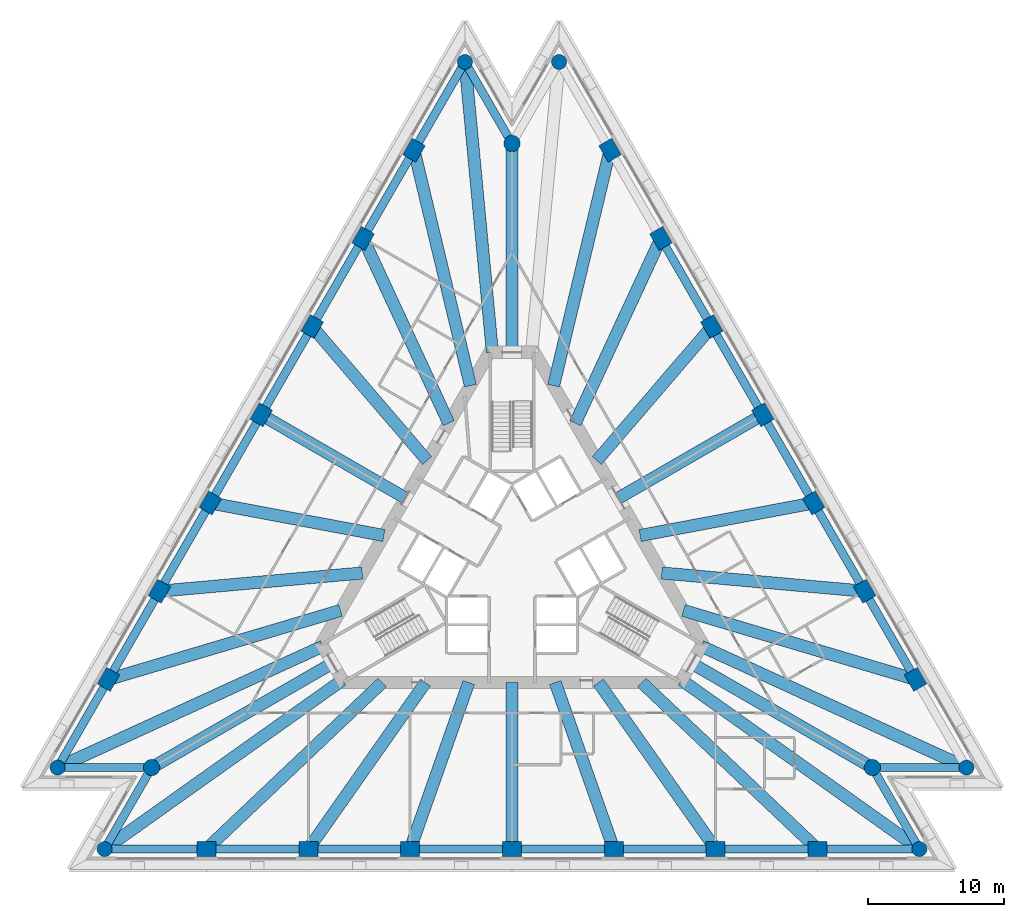
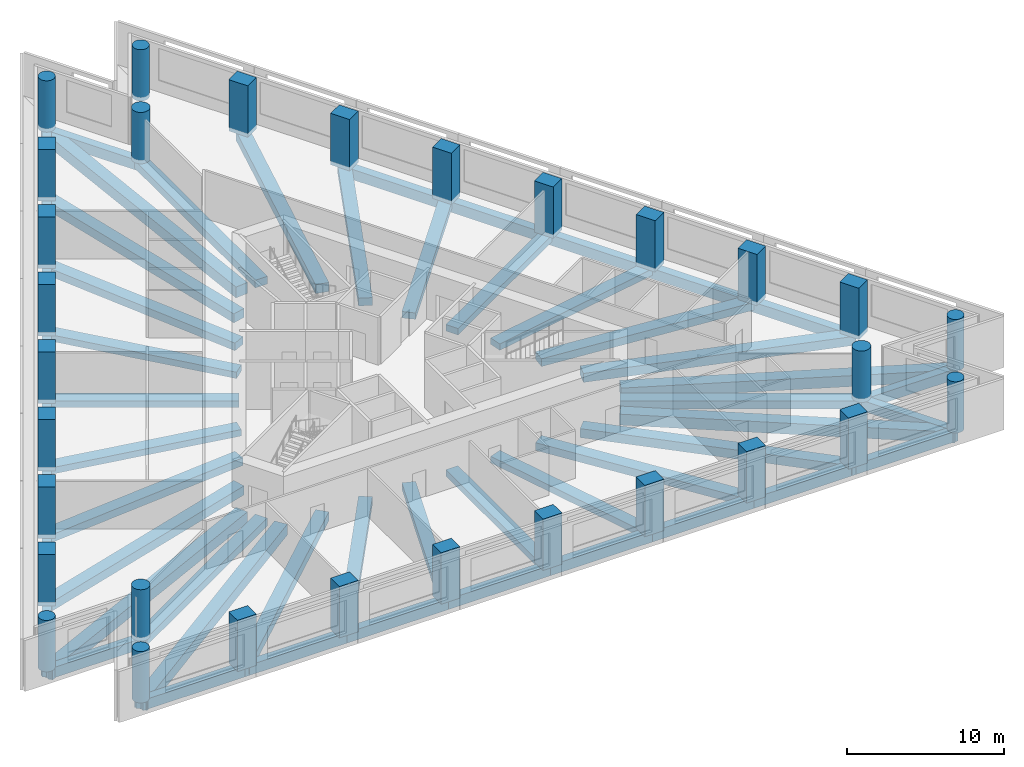
# One storey, part 1 of 9: 55 beams, 30 columns.
"""IFC4 building model written with IfcOpenShell, lengths in metres."""

from ifc_helpers import new_model, si_unit, direction, frame, origin, origin_2d, place, context, subcontext, project, spatial, rectangle, circle, extrude, material, material_profile, profile_set, type_object, element, save


model = new_model("IFC4")

# Units and contexts
model_context = context("Model", 3, precision=1e-05, world=origin(), true_north=direction((0.0, 1.0)))
body_context = subcontext(model_context, "Body", "Model", "MODEL_VIEW")
ifc_project = project(units=[si_unit("LENGTHUNIT", "METRE"), si_unit("AREAUNIT", "SQUARE_METRE"), si_unit("VOLUMEUNIT", "CUBIC_METRE"), si_unit("PLANEANGLEUNIT", "RADIAN"), si_unit("MASSUNIT", "GRAM", prefix="KILO")], contexts=[model_context])

# Site, building, storey
site_placement = place(None, origin())
site = spatial("IfcSite", under=ifc_project, at=site_placement, CompositionType="ELEMENT")
building_placement = place(site_placement, origin())
building = spatial("IfcBuilding", under=site, at=building_placement, Name="Triada Interchange Tower", CompositionType="ELEMENT")
storey_placement = place(building_placement, frame((0.0, 0.0, 51.300048828125)))
storey = spatial("IfcBuildingStorey", under=building, at=storey_placement, Name="L10", CompositionType="ELEMENT", Elevation=51.300048828125)

# Columns
ifc_material_1 = material(Name="Concrete C70/85", Category="concrete")
ifc_material_profile_1 = material_profile(ifc_material_1, rectangle(XDim=1.39990234375, YDim=1.10009765625, at=origin_2d()), Name="RC 1400x1100")
ifc_profile_set_1 = profile_set([ifc_material_profile_1], Name="Concrete C70/85")
column_type_1 = type_object("IfcColumnType", Name="Column A face RC 1400x1100", PredefinedType="COLUMN", material=ifc_profile_set_1)
for number, where, z_axis, x_axis, name in (
    (1, (-7.2099609375, 30.126953125, -0.300048828125), (0.0, 0.0, 1.0), (0.5, 0.866025403784, 0.0), "Column CA02 L10"),
    (2, (-10.95703125, 23.635986328125, -0.300048828125), (0.0, 0.0, 1.0), (0.5, 0.866025403784, 0.0), "Column CA03 L10"),
    (3, (-14.705078125, 17.14501953125, -0.300048828125), (0.0, 0.0, 1.0), (0.5, 0.866025403784, 0.0), "Column CA04 L10"),
    (4, (-18.451904296875, 10.654052734375, -0.300048828125), (0.0, 0.0, 1.0), (0.5, 0.866025403784, 0.0), "Column CA05 L10"),
    (5, (-22.199951171875, 4.162109375, -0.300048828125), (0.0, 0.0, 1.0), (0.5, 0.866025403784, 0.0), "Column CA06 L10"),
    (6, (-25.947998046875, -2.3291015625, -0.300048828125), (0.0, 0.0, 1.0), (0.5, 0.866025403784, 0.0), "Column CA07 L10"),
    (7, (-29.695068359375, -8.820068359375, -0.300048828125), (0.0, 0.0, 1.0), (0.5, 0.866025403784, 0.0), "Column CA08 L10"),
    (8, (-22.486083984375, -21.306884765625, -0.300048828125), (0.0, 0.0, 1.0), (1.0, 0.0, 0.0), "Column CA11 L10"),
    (9, (-14.989990234375, -21.306884765625, -0.300048828125), (0.0, 0.0, 1.0), (1.0, 0.0, 0.0), "Column CA12 L10"),
    (10, (-7.4951171875, -21.306884765625, -0.300048828125), (0.0, 0.0, 1.0), (1.0, 0.0, 0.0), "Column CA13 L10"),
    (11, (0.0, -21.306884765625, -0.300048828125), (0.0, 0.0, 1.0), (1.0, 0.0, 0.0), "Column CA14 L10"),
    (12, (7.4951171875, -21.306884765625, -0.300048828125), (0.0, 0.0, 1.0), (1.0, 0.0, 0.0), "Column CA15 L10"),
    (13, (14.990966796875, -21.306884765625, -0.300048828125), (0.0, 0.0, 1.0), (1.0, 0.0, 0.0), "Column CA16 L10"),
    (14, (22.486083984375, -21.306884765625, -0.300048828125), (0.0, 0.0, 1.0), (1.0, 0.0, 0.0), "Column CA17 L10"),
    (15, (29.695068359375, -8.820068359375, -0.300048828125), (0.0, 0.0, 1.0), (-0.5, 0.866025403784, 0.0), "Column CA20 L10"),
    (16, (25.947998046875, -2.3291015625, -0.300048828125), (0.0, 0.0, 1.0), (-0.5, 0.866025403784, 0.0), "Column CA21 L10"),
    (17, (22.199951171875, 4.162109375, -0.300048828125), (0.0, 0.0, 1.0), (-0.5, 0.866025403784, 0.0), "Column CA22 L10"),
    (18, (18.451904296875, 10.654052734375, -0.300048828125), (0.0, 0.0, 1.0), (-0.5, 0.866025403784, 0.0), "Column CA23 L10"),
    (19, (14.705078125, 17.14501953125, -0.300048828125), (0.0, 0.0, 1.0), (-0.5, 0.866025403784, 0.0), "Column CA24 L10"),
    (20, (10.95703125, 23.635986328125, -0.300048828125), (0.0, 0.0, 1.0), (-0.5, 0.866025403784, 0.0), "Column CA25 L10"),
    (21, (7.2099609375, 30.126953125, -0.300048828125), (0.0, 0.0, 1.0), (-0.5, 0.866025403784, 0.0), "Column CA26 L10"),
):
    element("IfcColumn", number, at=place(storey_placement, frame(where, z_axis=z_axis, x_axis=x_axis)), inside=storey, type_object=column_type_1, Name=name, PredefinedType="COLUMN", context=body_context, shape_type="SweptSolid", body=[
        extrude(rectangle(XDim=1.39990234375, YDim=1.10009765625, at=origin_2d()), origin(), (0.0, 0.0, 1.0), 4.0),
    ])
ifc_material_profile_2 = material_profile(ifc_material_1, circle(Radius=0.550048828125, at=origin_2d()), Name="RC D1100")
ifc_profile_set_2 = profile_set([ifc_material_profile_2], Name="Concrete C70/85")
column_type_2 = type_object("IfcColumnType", Name="End column A RC D1100", PredefinedType="COLUMN", material=ifc_profile_set_2)
for number, where, z_axis, x_axis, name in (
    (22, (-3.4619140625, 36.617919921875, -0.300048828125), (0.0, 0.0, 1.0), (0.5, 0.866025403784, 0.0), "Column CA01 L10"),
    (23, (-33.443115234375, -15.31103515625, -0.300048828125), (0.0, 0.0, 1.0), (0.5, 0.866025403784, 0.0), "Column CA09 L10"),
    (24, (-29.98095703125, -21.306884765625, -0.300048828125), (0.0, 0.0, 1.0), (1.0, 0.0, 0.0), "Column CA10 L10"),
    (25, (29.98095703125, -21.306884765625, -0.300048828125), (0.0, 0.0, 1.0), (1.0, 0.0, 0.0), "Column CA18 L10"),
    (26, (33.443115234375, -15.31103515625, -0.300048828125), (0.0, 0.0, 1.0), (-0.5, 0.866025403784, 0.0), "Column CA19 L10"),
    (27, (3.4619140625, 36.617919921875, -0.300048828125), (0.0, 0.0, 1.0), (-0.5, 0.866025403784, 0.0), "Column CA27 L10"),
):
    element("IfcColumn", number, at=place(storey_placement, frame(where, z_axis=z_axis, x_axis=x_axis)), inside=storey, type_object=column_type_2, Name=name, PredefinedType="COLUMN", context=body_context, shape_type="SweptSolid", body=[
        extrude(circle(Radius=0.550048828125, at=origin_2d()), origin(), (0.0, 0.0, 1.0), 4.0),
    ])
ifc_material_profile_3 = material_profile(ifc_material_1, circle(Radius=0.60009765625, at=origin_2d()), Name="RC D1200")
ifc_profile_set_3 = profile_set([ifc_material_profile_3], Name="Concrete C70/85")
column_type_3 = type_object("IfcColumnType", Name="Mega column A RC D1200", PredefinedType="COLUMN", material=ifc_profile_set_3)
for number, where, z_axis, x_axis, name in (
    (28, (0.0, 30.6220703125, -0.300048828125), (0.0, 0.0, 1.0), (1.0, 0.0, 0.0), "Column MA1 L10"),
    (29, (-26.51904296875, -15.31103515625, -0.300048828125), (0.0, 0.0, 1.0), (1.0, 0.0, 0.0), "Column MA2 L10"),
    (30, (26.51904296875, -15.31103515625, -0.300048828125), (0.0, 0.0, 1.0), (1.0, 0.0, 0.0), "Column MA3 L10"),
):
    element("IfcColumn", number, at=place(storey_placement, frame(where, z_axis=z_axis, x_axis=x_axis)), inside=storey, type_object=column_type_3, Name=name, PredefinedType="COLUMN", context=body_context, shape_type="SweptSolid", body=[
        extrude(circle(Radius=0.60009765625, at=origin_2d()), origin(), (0.0, 0.0, 1.0), 4.0),
    ])

# Beams
ifc_material_2 = material(Name="Concrete C50/60", Category="concrete")
ifc_material_profile_4 = material_profile(ifc_material_2, rectangle(XDim=0.89990234375, YDim=0.5, at=origin_2d()), Name="RC 900x500")
ifc_profile_set_4 = profile_set([ifc_material_profile_4], Name="Concrete C50/60")
beam_type_1 = type_object("IfcBeamType", Name="Radial band beam A RC 900x500", PredefinedType="BEAM", material=ifc_profile_set_4)
beam_1_placement = place(storey_placement, frame((-14.705078125, 17.14501953125, -0.550048828125), z_axis=(0.651011070288, -0.759068235643, 0.0), x_axis=(0.759068235643, 0.651011070288, 0.0)))
element("IfcBeam", 31, at=beam_1_placement, inside=storey, type_object=beam_type_1, Name="Radial band beam BA04 L10", PredefinedType="BEAM", context=body_context, shape_type="SweptSolid", body=[
    extrude(rectangle(XDim=0.89990234375, YDim=0.5, at=origin_2d()), origin(), (0.0, 0.0, 1.0), 12.99365234375),
])
beam_2_placement = place(storey_placement, frame((-18.451904296875, 10.654052734375, -0.550048828125), z_axis=(0.866004810444, -0.500035667016, 0.0), x_axis=(0.500035667016, 0.866004810444, 0.0)))
element("IfcBeam", 32, at=beam_2_placement, inside=storey, type_object=beam_type_1, Name="Radial band beam BA05 L10", PredefinedType="BEAM", context=body_context, shape_type="SweptSolid", body=[
    extrude(rectangle(XDim=0.89990234375, YDim=0.5, at=origin_2d()), origin(), (0.0, 0.0, 1.0), 12.25732421875),
])
beam_3_placement = place(storey_placement, frame((-22.199951171875, 4.162109375, -0.550048828125), z_axis=(0.982879418367, -0.184249963229, 0.0), x_axis=(0.184249963229, 0.982879418367, 0.0)))
element("IfcBeam", 33, at=beam_3_placement, inside=storey, type_object=beam_type_1, Name="Radial band beam BA06 L10", PredefinedType="BEAM", context=body_context, shape_type="SweptSolid", body=[
    extrude(rectangle(XDim=0.89990234375, YDim=0.5, at=origin_2d()), origin(), (0.0, 0.0, 1.0), 12.993408203125),
])
beam_4_placement = place(storey_placement, frame((-7.4951171875, -21.306884765625, -0.550048828125), z_axis=(0.331866578847, 0.943326334756, 0.0), x_axis=(-0.943326334756, 0.331866578847, 0.0)))
element("IfcBeam", 34, at=beam_4_placement, inside=storey, type_object=beam_type_1, Name="Radial band beam BA14 L10", PredefinedType="BEAM", context=body_context, shape_type="SweptSolid", body=[
    extrude(rectangle(XDim=0.89990234375, YDim=0.5, at=origin_2d()), origin(), (0.0, 0.0, 1.0), 12.9931640625),
])
beam_5_placement = place(storey_placement, frame((0.0, -21.306884765625, -0.550048828125), z_axis=(0.0, 1.0, 0.0), x_axis=(-1.0, 0.0, 0.0)))
element("IfcBeam", 35, at=beam_5_placement, inside=storey, type_object=beam_type_1, Name="Radial band beam BA15 L10", PredefinedType="BEAM", context=body_context, shape_type="SweptSolid", body=[
    extrude(rectangle(XDim=0.89990234375, YDim=0.5, at=origin_2d()), origin(), (0.0, 0.0, 1.0), 12.2568359375),
])
beam_6_placement = place(storey_placement, frame((7.4951171875, -21.306884765625, -0.550048828125), z_axis=(-0.331866578847, 0.943326334756, 0.0), x_axis=(-0.943326334756, -0.331866578847, 0.0)))
element("IfcBeam", 36, at=beam_6_placement, inside=storey, type_object=beam_type_1, Name="Radial band beam BA16 L10", PredefinedType="BEAM", context=body_context, shape_type="SweptSolid", body=[
    extrude(rectangle(XDim=0.89990234375, YDim=0.5, at=origin_2d()), origin(), (0.0, 0.0, 1.0), 12.9931640625),
])
beam_7_placement = place(storey_placement, frame((22.199951171875, 4.162109375, -0.550048828125), z_axis=(-0.982879418367, -0.184249963229, 0.0), x_axis=(0.184249963229, -0.982879418367, 0.0)))
element("IfcBeam", 37, at=beam_7_placement, inside=storey, type_object=beam_type_1, Name="Radial band beam BA24 L10", PredefinedType="BEAM", context=body_context, shape_type="SweptSolid", body=[
    extrude(rectangle(XDim=0.89990234375, YDim=0.5, at=origin_2d()), origin(), (0.0, 0.0, 1.0), 12.993408203125),
])
beam_8_placement = place(storey_placement, frame((18.451904296875, 10.654052734375, -0.550048828125), z_axis=(-0.866004810444, -0.500035667016, 0.0), x_axis=(0.500035667016, -0.866004810444, 0.0)))
element("IfcBeam", 38, at=beam_8_placement, inside=storey, type_object=beam_type_1, Name="Radial band beam BA25 L10", PredefinedType="BEAM", context=body_context, shape_type="SweptSolid", body=[
    extrude(rectangle(XDim=0.89990234375, YDim=0.5, at=origin_2d()), origin(), (0.0, 0.0, 1.0), 12.25732421875),
])
beam_9_placement = place(storey_placement, frame((14.705078125, 17.14501953125, -0.550048828125), z_axis=(-0.651011070288, -0.759068235643, 0.0), x_axis=(0.759068235643, -0.651011070288, 0.0)))
element("IfcBeam", 39, at=beam_9_placement, inside=storey, type_object=beam_type_1, Name="Radial band beam BA26 L10", PredefinedType="BEAM", context=body_context, shape_type="SweptSolid", body=[
    extrude(rectangle(XDim=0.89990234375, YDim=0.5, at=origin_2d()), origin(), (0.0, 0.0, 1.0), 12.99365234375),
])
ifc_material_profile_5 = material_profile(ifc_material_2, rectangle(XDim=0.89990234375, YDim=0.60009765625, at=origin_2d()), Name="RC 900x600")
ifc_profile_set_5 = profile_set([ifc_material_profile_5], Name="Concrete C50/60")
beam_type_2 = type_object("IfcBeamType", Name="Radial band beam A RC 900x600", PredefinedType="BEAM", material=ifc_profile_set_5)
beam_10_placement = place(storey_placement, frame((-10.95703125, 23.635986328125, -0.60009765625), z_axis=(0.42056894759, -0.907260580166, 0.0), x_axis=(0.907260580166, 0.42056894759, 0.0)))
element("IfcBeam", 40, at=beam_10_placement, inside=storey, type_object=beam_type_2, Name="Radial band beam BA03 L10", PredefinedType="BEAM", context=body_context, shape_type="SweptSolid", body=[
    extrude(rectangle(XDim=0.89990234375, YDim=0.60009765625, at=origin_2d()), origin(), (0.0, 0.0, 1.0), 14.98681640625),
])
beam_11_placement = place(storey_placement, frame((-25.947998046875, -2.3291015625, -0.60009765625), z_axis=(0.995994324065, 0.089416477401, 0.0), x_axis=(-0.089416477401, 0.995994324065, 0.0)))
element("IfcBeam", 41, at=beam_11_placement, inside=storey, type_object=beam_type_2, Name="Radial band beam BA07 L10", PredefinedType="BEAM", context=body_context, shape_type="SweptSolid", body=[
    extrude(rectangle(XDim=0.89990234375, YDim=0.60009765625, at=origin_2d()), origin(), (0.0, 0.0, 1.0), 14.987060546875),
])
beam_12_placement = place(storey_placement, frame((-26.51904296875, -15.31103515625, -0.60009765625), z_axis=(0.866015780646, 0.500016667394, 0.0), x_axis=(-0.500016667394, 0.866015780646, 0.0)))
element("IfcBeam", 42, at=beam_12_placement, inside=storey, type_object=beam_type_2, Name="Radial band beam BA10 L10", PredefinedType="BEAM", context=body_context, shape_type="SweptSolid", body=[
    extrude(rectangle(XDim=0.89990234375, YDim=0.60009765625, at=origin_2d()), origin(), (0.0, 0.0, 1.0), 15.37158203125),
])
beam_13_placement = place(storey_placement, frame((-14.989990234375, -21.306884765625, -0.60009765625), z_axis=(0.575398167171, 0.817873431049, 0.0), x_axis=(-0.817873431049, 0.575398167171, 0.0)))
element("IfcBeam", 43, at=beam_13_placement, inside=storey, type_object=beam_type_2, Name="Radial band beam BA13 L10", PredefinedType="BEAM", context=body_context, shape_type="SweptSolid", body=[
    extrude(rectangle(XDim=0.89990234375, YDim=0.60009765625, at=origin_2d()), origin(), (0.0, 0.0, 1.0), 14.986328125),
])
beam_14_placement = place(storey_placement, frame((14.990966796875, -21.306884765625, -0.60009765625), z_axis=(-0.575441754027, 0.817842764669, 0.0), x_axis=(-0.817842764669, -0.575441754027, 0.0)))
element("IfcBeam", 44, at=beam_14_placement, inside=storey, type_object=beam_type_2, Name="Radial band beam BA17 L10", PredefinedType="BEAM", context=body_context, shape_type="SweptSolid", body=[
    extrude(rectangle(XDim=0.89990234375, YDim=0.60009765625, at=origin_2d()), origin(), (0.0, 0.0, 1.0), 14.98681640625),
])
beam_15_placement = place(storey_placement, frame((26.51904296875, -15.31103515625, -0.60009765625), z_axis=(-0.866015780646, 0.500016667394, 0.0), x_axis=(-0.500016667394, -0.866015780646, 0.0)))
element("IfcBeam", 45, at=beam_15_placement, inside=storey, type_object=beam_type_2, Name="Radial band beam BA20 L10", PredefinedType="BEAM", context=body_context, shape_type="SweptSolid", body=[
    extrude(rectangle(XDim=0.89990234375, YDim=0.60009765625, at=origin_2d()), origin(), (0.0, 0.0, 1.0), 15.37158203125),
])
beam_16_placement = place(storey_placement, frame((25.947998046875, -2.3291015625, -0.60009765625), z_axis=(-0.995994324065, 0.089416477401, 0.0), x_axis=(-0.089416477401, -0.995994324065, 0.0)))
element("IfcBeam", 46, at=beam_16_placement, inside=storey, type_object=beam_type_2, Name="Radial band beam BA23 L10", PredefinedType="BEAM", context=body_context, shape_type="SweptSolid", body=[
    extrude(rectangle(XDim=0.89990234375, YDim=0.60009765625, at=origin_2d()), origin(), (0.0, 0.0, 1.0), 14.987060546875),
])
beam_17_placement = place(storey_placement, frame((10.95703125, 23.635986328125, -0.60009765625), z_axis=(-0.42056894759, -0.907260580166, 0.0), x_axis=(0.907260580166, -0.42056894759, 0.0)))
element("IfcBeam", 47, at=beam_17_placement, inside=storey, type_object=beam_type_2, Name="Radial band beam BA27 L10", PredefinedType="BEAM", context=body_context, shape_type="SweptSolid", body=[
    extrude(rectangle(XDim=0.89990234375, YDim=0.60009765625, at=origin_2d()), origin(), (0.0, 0.0, 1.0), 14.98681640625),
])
beam_18_placement = place(storey_placement, frame((0.0, 30.6220703125, -0.60009765625), z_axis=(0.0, -1.0, 0.0), x_axis=(1.0, 0.0, 0.0)))
element("IfcBeam", 48, at=beam_18_placement, inside=storey, type_object=beam_type_2, Name="Radial band beam BA30 L10", PredefinedType="BEAM", context=body_context, shape_type="SweptSolid", body=[
    extrude(rectangle(XDim=0.89990234375, YDim=0.60009765625, at=origin_2d()), origin(), (0.0, 0.0, 1.0), 15.3720703125),
])
ifc_material_profile_6 = material_profile(ifc_material_2, rectangle(XDim=0.89990234375, YDim=0.699951171875, at=origin_2d()), Name="RC 900x700")
ifc_profile_set_6 = profile_set([ifc_material_profile_6], Name="Concrete C50/60")
beam_type_3 = type_object("IfcBeamType", Name="Radial band beam A RC 900x700", PredefinedType="BEAM", material=ifc_profile_set_6)
beam_19_placement = place(storey_placement, frame((-7.2099609375, 30.126953125, -0.650146484375), z_axis=(0.232750117598, -0.972536571425, 0.0), x_axis=(0.972536571425, 0.232750117598, 0.0)))
element("IfcBeam", 49, at=beam_19_placement, inside=storey, type_object=beam_type_3, Name="Radial band beam BA02 L10", PredefinedType="BEAM", context=body_context, shape_type="SweptSolid", body=[
    extrude(rectangle(XDim=0.89990234375, YDim=0.699951171875, at=origin_2d()), origin(), (0.0, 0.0, 1.0), 17.821533203125),
])
beam_20_placement = place(storey_placement, frame((-29.695068359375, -8.820068359375, -0.650146484375), z_axis=(0.958604804109, 0.284739933166, 0.0), x_axis=(-0.284739933166, 0.958604804109, 0.0)))
element("IfcBeam", 50, at=beam_20_placement, inside=storey, type_object=beam_type_3, Name="Radial band beam BA08 L10", PredefinedType="BEAM", context=body_context, shape_type="SweptSolid", body=[
    extrude(rectangle(XDim=0.89990234375, YDim=0.699951171875, at=origin_2d()), origin(), (0.0, 0.0, 1.0), 17.819580078125),
])
for number, where, z_axis, x_axis, name in (
    (51, (-22.486083984375, -21.306884765625, -0.650146484375), (0.725880677222, 0.687820646998, 0.0), (-0.687820646998, 0.725880677222, 0.0), "Radial band beam BA12 L10"),
    (52, (22.486083984375, -21.306884765625, -0.650146484375), (-0.725880677222, 0.687820646998, 0.0), (-0.687820646998, -0.725880677222, 0.0), "Radial band beam BA18 L10"),
):
    element("IfcBeam", number, at=place(storey_placement, frame(where, z_axis=z_axis, x_axis=x_axis)), inside=storey, type_object=beam_type_3, Name=name, PredefinedType="BEAM", context=body_context, shape_type="SweptSolid", body=[
        extrude(rectangle(XDim=0.89990234375, YDim=0.699951171875, at=origin_2d()), origin(), (0.0, 0.0, 1.0), 17.81982421875),
    ])
beam_21_placement = place(storey_placement, frame((29.695068359375, -8.820068359375, -0.650146484375), z_axis=(-0.958604804109, 0.284739933166, 0.0), x_axis=(-0.284739933166, -0.958604804109, 0.0)))
element("IfcBeam", 53, at=beam_21_placement, inside=storey, type_object=beam_type_3, Name="Radial band beam BA22 L10", PredefinedType="BEAM", context=body_context, shape_type="SweptSolid", body=[
    extrude(rectangle(XDim=0.89990234375, YDim=0.699951171875, at=origin_2d()), origin(), (0.0, 0.0, 1.0), 17.819580078125),
])
beam_22_placement = place(storey_placement, frame((7.2099609375, 30.126953125, -0.650146484375), z_axis=(-0.232750117598, -0.972536571425, 0.0), x_axis=(0.972536571425, -0.232750117598, 0.0)))
element("IfcBeam", 54, at=beam_22_placement, inside=storey, type_object=beam_type_3, Name="Radial band beam BA28 L10", PredefinedType="BEAM", context=body_context, shape_type="SweptSolid", body=[
    extrude(rectangle(XDim=0.89990234375, YDim=0.699951171875, at=origin_2d()), origin(), (0.0, 0.0, 1.0), 17.821533203125),
])
ifc_material_profile_7 = material_profile(ifc_material_2, rectangle(XDim=0.89990234375, YDim=0.85009765625, at=origin_2d()), Name="RC 900x850")
ifc_profile_set_7 = profile_set([ifc_material_profile_7], Name="Concrete C50/60")
beam_type_4 = type_object("IfcBeamType", Name="Radial band beam A RC 900x850", PredefinedType="BEAM", material=ifc_profile_set_7)
beam_23_placement = place(storey_placement, frame((-3.4619140625, 36.617919921875, -0.72509765625), z_axis=(0.09411553587, -0.995561281844, 0.0), x_axis=(0.995561281844, 0.09411553587, 0.0)))
element("IfcBeam", 55, at=beam_23_placement, inside=storey, type_object=beam_type_4, Name="Radial band beam BA01 L10", PredefinedType="BEAM", context=body_context, shape_type="SweptSolid", body=[
    extrude(rectangle(XDim=0.89990234375, YDim=0.85009765625, at=origin_2d()), origin(), (0.0, 0.0, 1.0), 21.463134765625),
])
beam_24_placement = place(storey_placement, frame((-33.443115234375, -15.31103515625, -0.72509765625), z_axis=(0.909247485813, 0.416255942351, 0.0), x_axis=(-0.416255942351, 0.909247485813, 0.0)))
element("IfcBeam", 56, at=beam_24_placement, inside=storey, type_object=beam_type_4, Name="Radial band beam BA09 L10", PredefinedType="BEAM", context=body_context, shape_type="SweptSolid", body=[
    extrude(rectangle(XDim=0.89990234375, YDim=0.85009765625, at=origin_2d()), origin(), (0.0, 0.0, 1.0), 21.462890625),
])
for number, where, z_axis, x_axis, name in (
    (57, (-29.98095703125, -21.306884765625, -0.72509765625), (0.815129947367, 0.579278144681, 0.0), (-0.579278144681, 0.815129947367, 0.0), "Radial band beam BA11 L10"),
    (58, (29.98095703125, -21.306884765625, -0.72509765625), (-0.815129947367, 0.579278144681, 0.0), (-0.579278144681, -0.815129947367, 0.0), "Radial band beam BA19 L10"),
):
    element("IfcBeam", number, at=place(storey_placement, frame(where, z_axis=z_axis, x_axis=x_axis)), inside=storey, type_object=beam_type_4, Name=name, PredefinedType="BEAM", context=body_context, shape_type="SweptSolid", body=[
        extrude(rectangle(XDim=0.89990234375, YDim=0.85009765625, at=origin_2d()), origin(), (0.0, 0.0, 1.0), 21.462646484375),
    ])
beam_25_placement = place(storey_placement, frame((33.443115234375, -15.31103515625, -0.72509765625), z_axis=(-0.909247485813, 0.416255942351, 0.0), x_axis=(-0.416255942351, -0.909247485813, 0.0)))
element("IfcBeam", 59, at=beam_25_placement, inside=storey, type_object=beam_type_4, Name="Radial band beam BA21 L10", PredefinedType="BEAM", context=body_context, shape_type="SweptSolid", body=[
    extrude(rectangle(XDim=0.89990234375, YDim=0.85009765625, at=origin_2d()), origin(), (0.0, 0.0, 1.0), 21.462890625),
])
ifc_material_profile_8 = material_profile(ifc_material_2, rectangle(XDim=0.60009765625, YDim=0.800048828125, at=origin_2d()), Name="RC 600x800")
ifc_profile_set_8 = profile_set([ifc_material_profile_8], Name="Concrete C50/60")
beam_type_5 = type_object("IfcBeamType", Name="Spandrel beam A RC 600x800", PredefinedType="BEAM", material=ifc_profile_set_8)
beam_26_placement = place(storey_placement, frame((-3.4619140625, 36.617919921875, -0.699951171875), z_axis=(-0.500048573981, -0.865997357767, 0.0), x_axis=(0.865997357767, -0.500048573981, 0.0)))
element("IfcBeam", 60, at=beam_26_placement, inside=storey, type_object=beam_type_5, Name="Spandrel beam EA01 L10", PredefinedType="BEAM", context=body_context, shape_type="SweptSolid", body=[
    extrude(rectangle(XDim=0.60009765625, YDim=0.800048828125, at=origin_2d()), origin(), (0.0, 0.0, 1.0), 7.495361328125),
])
beam_27_placement = place(storey_placement, frame((-7.2099609375, 30.126953125, -0.699951171875), z_axis=(-0.49995085413, -0.866053776307, 0.0), x_axis=(0.866053776307, -0.49995085413, 0.0)))
element("IfcBeam", 61, at=beam_27_placement, inside=storey, type_object=beam_type_5, Name="Spandrel beam EA02 L10", PredefinedType="BEAM", context=body_context, shape_type="SweptSolid", body=[
    extrude(rectangle(XDim=0.60009765625, YDim=0.800048828125, at=origin_2d()), origin(), (0.0, 0.0, 1.0), 7.494873046875),
])
beam_28_placement = place(storey_placement, frame((-10.95703125, 23.635986328125, -0.699951171875), z_axis=(-0.500048573981, -0.865997357767, 0.0), x_axis=(0.865997357767, -0.500048573981, 0.0)))
element("IfcBeam", 62, at=beam_28_placement, inside=storey, type_object=beam_type_5, Name="Spandrel beam EA03 L10", PredefinedType="BEAM", context=body_context, shape_type="SweptSolid", body=[
    extrude(rectangle(XDim=0.60009765625, YDim=0.800048828125, at=origin_2d()), origin(), (0.0, 0.0, 1.0), 7.495361328125),
])
beam_29_placement = place(storey_placement, frame((-14.705078125, 17.14501953125, -0.699951171875), z_axis=(-0.499926421183, -0.866067880367, 0.0), x_axis=(0.866067880367, -0.499926421183, 0.0)))
element("IfcBeam", 63, at=beam_29_placement, inside=storey, type_object=beam_type_5, Name="Spandrel beam EA04 L10", PredefinedType="BEAM", context=body_context, shape_type="SweptSolid", body=[
    extrude(rectangle(XDim=0.60009765625, YDim=0.800048828125, at=origin_2d()), origin(), (0.0, 0.0, 1.0), 7.494873046875),
])
beam_30_placement = place(storey_placement, frame((-18.451904296875, 10.654052734375, -0.699951171875), z_axis=(-0.499992158909, -0.866029930793, 0.0), x_axis=(0.866029930793, -0.499992158909, 0.0)))
element("IfcBeam", 64, at=beam_30_placement, inside=storey, type_object=beam_type_5, Name="Spandrel beam EA05 L10", PredefinedType="BEAM", context=body_context, shape_type="SweptSolid", body=[
    extrude(rectangle(XDim=0.60009765625, YDim=0.800048828125, at=origin_2d()), origin(), (0.0, 0.0, 1.0), 7.49609375),
])
beam_31_placement = place(storey_placement, frame((-22.199951171875, 4.162109375, -0.699951171875), z_axis=(-0.500034469219, -0.866005502057, 0.0), x_axis=(0.866005502057, -0.500034469219, 0.0)))
element("IfcBeam", 65, at=beam_31_placement, inside=storey, type_object=beam_type_5, Name="Spandrel beam EA06 L10", PredefinedType="BEAM", context=body_context, shape_type="SweptSolid", body=[
    extrude(rectangle(XDim=0.60009765625, YDim=0.800048828125, at=origin_2d()), origin(), (0.0, 0.0, 1.0), 7.49560546875),
])
beam_32_placement = place(storey_placement, frame((-25.947998046875, -2.3291015625, -0.699951171875), z_axis=(-0.49995085413, -0.866053776307, 0.0), x_axis=(0.866053776307, -0.49995085413, 0.0)))
element("IfcBeam", 66, at=beam_32_placement, inside=storey, type_object=beam_type_5, Name="Spandrel beam EA07 L10", PredefinedType="BEAM", context=body_context, shape_type="SweptSolid", body=[
    extrude(rectangle(XDim=0.60009765625, YDim=0.800048828125, at=origin_2d()), origin(), (0.0, 0.0, 1.0), 7.494873046875),
])
beam_33_placement = place(storey_placement, frame((-29.695068359375, -8.820068359375, -0.699951171875), z_axis=(-0.500048573981, -0.865997357767, 0.0), x_axis=(0.865997357767, -0.500048573981, 0.0)))
element("IfcBeam", 67, at=beam_33_placement, inside=storey, type_object=beam_type_5, Name="Spandrel beam EA08 L10", PredefinedType="BEAM", context=body_context, shape_type="SweptSolid", body=[
    extrude(rectangle(XDim=0.60009765625, YDim=0.800048828125, at=origin_2d()), origin(), (0.0, 0.0, 1.0), 7.495361328125),
])
beam_34_placement = place(storey_placement, frame((-33.443115234375, -15.31103515625, -0.699951171875), z_axis=(1.0, 0.0, 0.0), x_axis=(0.0, 1.0, 0.0)))
element("IfcBeam", 68, at=beam_34_placement, inside=storey, type_object=beam_type_5, Name="Spandrel beam EA09 L10", PredefinedType="BEAM", context=body_context, shape_type="SweptSolid", body=[
    extrude(rectangle(XDim=0.60009765625, YDim=0.800048828125, at=origin_2d()), origin(), (0.0, 0.0, 1.0), 6.924072265625),
])
beam_35_placement = place(storey_placement, frame((-26.51904296875, -15.31103515625, -0.699951171875), z_axis=(-0.50002260502, -0.866012352376, 0.0), x_axis=(0.866012352376, -0.50002260502, 0.0)))
element("IfcBeam", 69, at=beam_35_placement, inside=storey, type_object=beam_type_5, Name="Spandrel beam EA10 L10", PredefinedType="BEAM", context=body_context, shape_type="SweptSolid", body=[
    extrude(rectangle(XDim=0.60009765625, YDim=0.800048828125, at=origin_2d()), origin(), (0.0, 0.0, 1.0), 6.923583984375),
])
beam_36_placement = place(storey_placement, frame((-29.98095703125, -21.306884765625, -0.699951171875), z_axis=(1.0, 0.0, 0.0), x_axis=(0.0, 1.0, 0.0)))
element("IfcBeam", 70, at=beam_36_placement, inside=storey, type_object=beam_type_5, Name="Spandrel beam EA11 L10", PredefinedType="BEAM", context=body_context, shape_type="SweptSolid", body=[
    extrude(rectangle(XDim=0.60009765625, YDim=0.800048828125, at=origin_2d()), origin(), (0.0, 0.0, 1.0), 7.494873046875),
])
beam_37_placement = place(storey_placement, frame((-22.486083984375, -21.306884765625, -0.699951171875), z_axis=(1.0, 0.0, 0.0), x_axis=(0.0, 1.0, 0.0)))
element("IfcBeam", 71, at=beam_37_placement, inside=storey, type_object=beam_type_5, Name="Spandrel beam EA12 L10", PredefinedType="BEAM", context=body_context, shape_type="SweptSolid", body=[
    extrude(rectangle(XDim=0.60009765625, YDim=0.800048828125, at=origin_2d()), origin(), (0.0, 0.0, 1.0), 7.49609375),
])
beam_38_placement = place(storey_placement, frame((-14.989990234375, -21.306884765625, -0.699951171875), z_axis=(1.0, 0.0, 0.0), x_axis=(0.0, 1.0, 0.0)))
element("IfcBeam", 72, at=beam_38_placement, inside=storey, type_object=beam_type_5, Name="Spandrel beam EA13 L10", PredefinedType="BEAM", context=body_context, shape_type="SweptSolid", body=[
    extrude(rectangle(XDim=0.60009765625, YDim=0.800048828125, at=origin_2d()), origin(), (0.0, 0.0, 1.0), 7.494873046875),
])
for number, where, z_axis, x_axis, name in (
    (73, (-7.4951171875, -21.306884765625, -0.699951171875), (1.0, 0.0, 0.0), (0.0, 1.0, 0.0), "Spandrel beam EA14 L10"),
    (74, (0.0, -21.306884765625, -0.699951171875), (1.0, 0.0, 0.0), (0.0, 1.0, 0.0), "Spandrel beam EA15 L10"),
):
    element("IfcBeam", number, at=place(storey_placement, frame(where, z_axis=z_axis, x_axis=x_axis)), inside=storey, type_object=beam_type_5, Name=name, PredefinedType="BEAM", context=body_context, shape_type="SweptSolid", body=[
        extrude(rectangle(XDim=0.60009765625, YDim=0.800048828125, at=origin_2d()), origin(), (0.0, 0.0, 1.0), 7.4951171875),
    ])
beam_39_placement = place(storey_placement, frame((7.4951171875, -21.306884765625, -0.699951171875), z_axis=(1.0, 0.0, 0.0), x_axis=(0.0, 1.0, 0.0)))
element("IfcBeam", 75, at=beam_39_placement, inside=storey, type_object=beam_type_5, Name="Spandrel beam EA16 L10", PredefinedType="BEAM", context=body_context, shape_type="SweptSolid", body=[
    extrude(rectangle(XDim=0.60009765625, YDim=0.800048828125, at=origin_2d()), origin(), (0.0, 0.0, 1.0), 7.495849609375),
])
beam_40_placement = place(storey_placement, frame((14.990966796875, -21.306884765625, -0.699951171875), z_axis=(1.0, 0.0, 0.0), x_axis=(0.0, 1.0, 0.0)))
element("IfcBeam", 76, at=beam_40_placement, inside=storey, type_object=beam_type_5, Name="Spandrel beam EA17 L10", PredefinedType="BEAM", context=body_context, shape_type="SweptSolid", body=[
    extrude(rectangle(XDim=0.60009765625, YDim=0.800048828125, at=origin_2d()), origin(), (0.0, 0.0, 1.0), 7.4951171875),
])
beam_41_placement = place(storey_placement, frame((22.486083984375, -21.306884765625, -0.699951171875), z_axis=(1.0, 0.0, 0.0), x_axis=(0.0, 1.0, 0.0)))
element("IfcBeam", 77, at=beam_41_placement, inside=storey, type_object=beam_type_5, Name="Spandrel beam EA18 L10", PredefinedType="BEAM", context=body_context, shape_type="SweptSolid", body=[
    extrude(rectangle(XDim=0.60009765625, YDim=0.800048828125, at=origin_2d()), origin(), (0.0, 0.0, 1.0), 7.494873046875),
])
beam_42_placement = place(storey_placement, frame((29.98095703125, -21.306884765625, -0.699951171875), z_axis=(-0.50002260502, 0.866012352376, 0.0), x_axis=(-0.866012352376, -0.50002260502, 0.0)))
element("IfcBeam", 78, at=beam_42_placement, inside=storey, type_object=beam_type_5, Name="Spandrel beam EA19 L10", PredefinedType="BEAM", context=body_context, shape_type="SweptSolid", body=[
    extrude(rectangle(XDim=0.60009765625, YDim=0.800048828125, at=origin_2d()), origin(), (0.0, 0.0, 1.0), 6.923583984375),
])
beam_43_placement = place(storey_placement, frame((26.51904296875, -15.31103515625, -0.699951171875), z_axis=(1.0, 0.0, 0.0), x_axis=(0.0, 1.0, 0.0)))
element("IfcBeam", 79, at=beam_43_placement, inside=storey, type_object=beam_type_5, Name="Spandrel beam EA20 L10", PredefinedType="BEAM", context=body_context, shape_type="SweptSolid", body=[
    extrude(rectangle(XDim=0.60009765625, YDim=0.800048828125, at=origin_2d()), origin(), (0.0, 0.0, 1.0), 6.924072265625),
])
beam_44_placement = place(storey_placement, frame((29.695068359375, -8.820068359375, -0.699951171875), z_axis=(-0.49995085413, 0.866053776307, 0.0), x_axis=(-0.866053776307, -0.49995085413, 0.0)))
element("IfcBeam", 80, at=beam_44_placement, inside=storey, type_object=beam_type_5, Name="Spandrel beam EA22 L10", PredefinedType="BEAM", context=body_context, shape_type="SweptSolid", body=[
    extrude(rectangle(XDim=0.60009765625, YDim=0.800048828125, at=origin_2d()), origin(), (0.0, 0.0, 1.0), 7.494873046875),
])
beam_45_placement = place(storey_placement, frame((25.947998046875, -2.3291015625, -0.699951171875), z_axis=(-0.500034469219, 0.866005502057, 0.0), x_axis=(-0.866005502057, -0.500034469219, 0.0)))
element("IfcBeam", 81, at=beam_45_placement, inside=storey, type_object=beam_type_5, Name="Spandrel beam EA23 L10", PredefinedType="BEAM", context=body_context, shape_type="SweptSolid", body=[
    extrude(rectangle(XDim=0.60009765625, YDim=0.800048828125, at=origin_2d()), origin(), (0.0, 0.0, 1.0), 7.49560546875),
])
beam_46_placement = place(storey_placement, frame((22.199951171875, 4.162109375, -0.699951171875), z_axis=(-0.499992158909, 0.866029930793, 0.0), x_axis=(-0.866029930793, -0.499992158909, 0.0)))
element("IfcBeam", 82, at=beam_46_placement, inside=storey, type_object=beam_type_5, Name="Spandrel beam EA24 L10", PredefinedType="BEAM", context=body_context, shape_type="SweptSolid", body=[
    extrude(rectangle(XDim=0.60009765625, YDim=0.800048828125, at=origin_2d()), origin(), (0.0, 0.0, 1.0), 7.49609375),
])
beam_47_placement = place(storey_placement, frame((18.451904296875, 10.654052734375, -0.699951171875), z_axis=(-0.499926421183, 0.866067880367, 0.0), x_axis=(-0.866067880367, -0.499926421183, 0.0)))
element("IfcBeam", 83, at=beam_47_placement, inside=storey, type_object=beam_type_5, Name="Spandrel beam EA25 L10", PredefinedType="BEAM", context=body_context, shape_type="SweptSolid", body=[
    extrude(rectangle(XDim=0.60009765625, YDim=0.800048828125, at=origin_2d()), origin(), (0.0, 0.0, 1.0), 7.494873046875),
])
beam_48_placement = place(storey_placement, frame((14.705078125, 17.14501953125, -0.699951171875), z_axis=(-0.500048573981, 0.865997357767, 0.0), x_axis=(-0.865997357767, -0.500048573981, 0.0)))
element("IfcBeam", 84, at=beam_48_placement, inside=storey, type_object=beam_type_5, Name="Spandrel beam EA26 L10", PredefinedType="BEAM", context=body_context, shape_type="SweptSolid", body=[
    extrude(rectangle(XDim=0.60009765625, YDim=0.800048828125, at=origin_2d()), origin(), (0.0, 0.0, 1.0), 7.495361328125),
])
beam_49_placement = place(storey_placement, frame((0.0, 30.6220703125, -0.699951171875), z_axis=(-0.50002260502, 0.866012352376, 0.0), x_axis=(-0.866012352376, -0.50002260502, 0.0)))
element("IfcBeam", 85, at=beam_49_placement, inside=storey, type_object=beam_type_5, Name="Spandrel beam EA30 L10", PredefinedType="BEAM", context=body_context, shape_type="SweptSolid", body=[
    extrude(rectangle(XDim=0.60009765625, YDim=0.800048828125, at=origin_2d()), origin(), (0.0, 0.0, 1.0), 6.923583984375),
])

save(model, "model.ifc")
